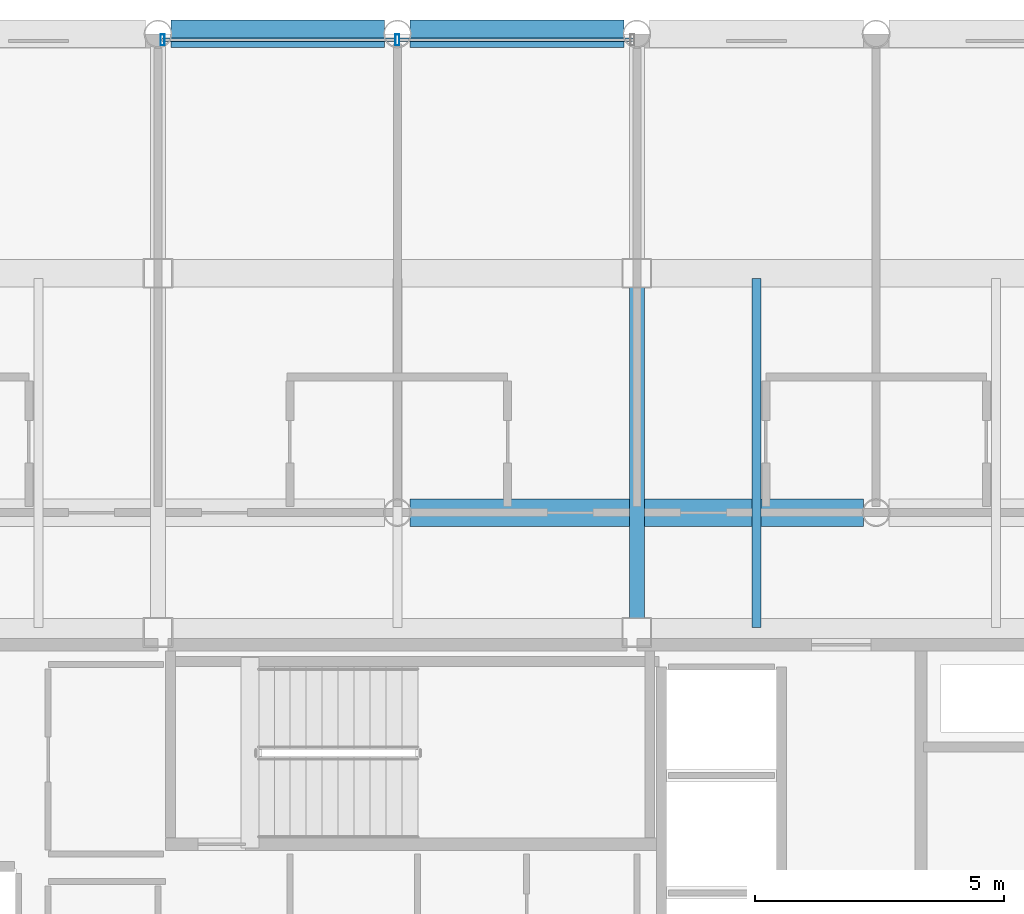
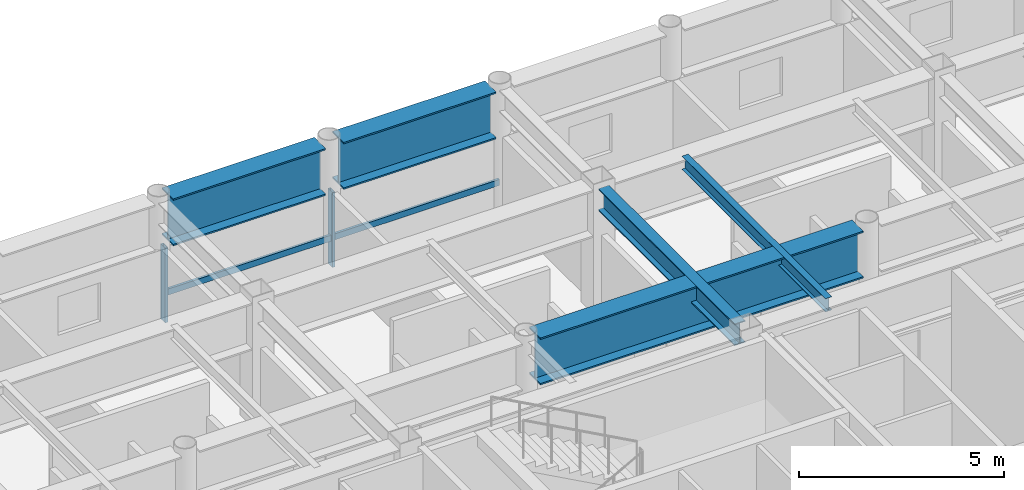
# One storey, part 13 of 22: 5 beams, 4 members, 1 element without a shape of its own.
"""IFC4 building model written with IfcOpenShell, lengths in metres."""

from ifc_helpers import new_model, si_unit, direction, frame, origin, origin_2d, place, context, subcontext, project, spatial, hollow_rectangle, i_section, extrude, material, layer, layer_set, material_profile, profile_set, type_object, element, aggregate, save


model = new_model("IFC4")

# Units and contexts
model_context = context("Model", 3, precision=1e-05, world=origin(), true_north=direction((0.0, 1.0)))
body_context = subcontext(model_context, "Body", "Model", "MODEL_VIEW")
ifc_project = project(units=[si_unit("LENGTHUNIT", "METRE"), si_unit("AREAUNIT", "SQUARE_METRE"), si_unit("VOLUMEUNIT", "CUBIC_METRE"), si_unit("PLANEANGLEUNIT", "RADIAN"), si_unit("MASSUNIT", "GRAM", prefix="KILO")], contexts=[model_context])

# Site, building, storey
site_placement = place(None, origin())
site = spatial("IfcSite", under=ifc_project, at=site_placement, CompositionType="ELEMENT")
building_placement = place(site_placement, origin())
building = spatial("IfcBuilding", under=site, at=building_placement, Name="Kallvorn Hotel Tower", CompositionType="ELEMENT")
storey_placement = place(building_placement, frame((0.0, 0.0, 191.5)))
storey = spatial("IfcBuildingStorey", under=building, at=storey_placement, Name="L47", CompositionType="ELEMENT", Elevation=191.5)

# Beams
ifc_material_1 = material(Name="Structural steel S355JR", Category="steel")
ifc_material_profile_1 = material_profile(ifc_material_1, i_section(OverallWidth=0.300048828125, OverallDepth=0.64990234375, WebThickness=0.01611328125, FlangeThickness=0.031005859375, at=origin_2d()), Name="HE 650 B")
ifc_profile_set_1 = profile_set([ifc_material_profile_1], Name="Structural steel S355JR")
beam_type_1 = type_object("IfcBeamType", Name="BM_HE650B", PredefinedType="BEAM", material=ifc_profile_set_1)
beam_1_placement = place(storey_placement, frame((4.800048828125, 7.47509765625, 3.344970703125), z_axis=(0.0, 1.0, 0.0), x_axis=(-1.0, 0.0, 0.0)))
element("IfcBeam", 1, at=beam_1_placement, inside=storey, type_object=beam_type_1, Name="L48 Primary Y-Girder 116", PredefinedType="BEAM", context=body_context, shape_type="SweptSolid", body=[
    extrude(i_section(OverallWidth=0.300048828125, OverallDepth=0.64990234375, WebThickness=0.01611328125, FlangeThickness=0.031005859375, at=origin_2d()), origin(), (0.0, 0.0, 1.0), 6.64990234375),
])
ifc_material_2 = material(Name="Structural steel S355JR", Category="steel")
ifc_material_profile_2 = material_profile(ifc_material_2, i_section(OverallWidth=0.179931640625, OverallDepth=0.39990234375, WebThickness=0.008544921875, FlangeThickness=0.013427734375, at=origin_2d()), Name="IPE 400")
ifc_profile_set_2 = profile_set([ifc_material_profile_2], Name="Structural steel S355JR")
beam_type_2 = type_object("IfcBeamType", Name="BM_IPE400", PredefinedType="JOIST", material=ifc_profile_set_2)
beam_2_placement = place(storey_placement, frame((7.199951171875, 7.300048828125, 3.469970703125), z_axis=(0.0, 1.0, 0.0), x_axis=(-1.0, 0.0, 0.0)))
element("IfcBeam", 2, at=beam_2_placement, inside=storey, type_object=beam_type_2, Name="L48 Secondary Composite Joist 203", PredefinedType="JOIST", context=body_context, shape_type="SweptSolid", body=[
    extrude(i_section(OverallWidth=0.179931640625, OverallDepth=0.39990234375, WebThickness=0.008544921875, FlangeThickness=0.013427734375, at=origin_2d()), origin(), (0.0, 0.0, 1.0), 7.0),
])
ifc_material_3 = material(Name="Structural steel S355JR", Category="steel")
ifc_material_profile_3 = material_profile(ifc_material_3, i_section(OverallWidth=0.550048828125, OverallDepth=1.39990234375, WebThickness=0.02490234375, FlangeThickness=0.044921875, at=origin_2d()), Name="PG 1400x550x25x45")
ifc_profile_set_3 = profile_set([ifc_material_profile_3], Name="Structural steel S355JR")
beam_type_3 = type_object("IfcBeamType", Name="BM_PG_1400", PredefinedType="BEAM", material=ifc_profile_set_3)
beam_3_placement = place(storey_placement, frame((0.25439453125, 9.60009765625, 2.969970703125), z_axis=(1.0, 0.0, 0.0), x_axis=(0.0, 1.0, 0.0)))
element("IfcBeam", 3, at=beam_3_placement, inside=storey, type_object=beam_type_3, Name="L48 Primary X-Girder 46", PredefinedType="BEAM", context=body_context, shape_type="SweptSolid", body=[
    extrude(i_section(OverallWidth=0.550048828125, OverallDepth=1.39990234375, WebThickness=0.02490234375, FlangeThickness=0.044921875, at=origin_2d()), origin(), (0.0, 0.0, 1.0), 9.091064453125),
])
for number, where, z_axis, x_axis, name in (
    (4, (-4.54541015625, 19.199951171875, 2.969970703125), (1.0, 0.0, 0.0), (0.0, 1.0, 0.0), "L48 Primary X-Girder 66"),
    (5, (0.25439453125, 19.199951171875, 2.969970703125), (1.0, 0.0, 0.0), (0.0, 1.0, 0.0), "L48 Primary X-Girder 67"),
):
    element("IfcBeam", number, at=place(storey_placement, frame(where, z_axis=z_axis, x_axis=x_axis)), inside=storey, type_object=beam_type_3, Name=name, PredefinedType="BEAM", context=body_context, shape_type="SweptSolid", body=[
        extrude(i_section(OverallWidth=0.550048828125, OverallDepth=1.39990234375, WebThickness=0.02490234375, FlangeThickness=0.044921875, at=origin_2d()), origin(), (0.0, 0.0, 1.0), 4.291015625),
    ])

# Curtain wall, members
ifc_material_4 = material(Name="Thermally broken black-anodised aluminium AA 6063-T6", Category="aluminium")
ifc_layer = layer(ifc_material_4, 0.22998046875)
ifc_layer_set = layer_set([ifc_layer], Name="CW_SYS_5_HOTEL_HIGH")
curtain_wall_type = type_object("IfcCurtainWallType", Name="CW_SYS_5_HOTEL_HIGH", PredefinedType="USERDEFINED", material=ifc_layer_set)
curtain_wall_placement = place(storey_placement, origin())
curtain_wall = element("IfcCurtainWall", 6, at=curtain_wall_placement, inside=storey, type_object=curtain_wall_type, Name="L47 Dark-Glass Curtain Wall CW-L47-NC", ObjectType="UNITISED CURTAIN WALL", PredefinedType="USERDEFINED")
ifc_material_5 = material(Name="Thermally broken black-anodised aluminium AA 6063-T6", Category="aluminium")
ifc_material_profile_4 = material_profile(ifc_material_5, hollow_rectangle(XDim=0.080078125, YDim=0.219970703125, WallThickness=0.0048828125, at=origin_2d()), Name="MUL 220x80")
ifc_profile_set_4 = profile_set([ifc_material_profile_4], Name="Thermally broken black-anodised aluminium AA 6063-T6")
member_type_1 = type_object("IfcMemberType", Name="CW_MULLION_220x80", PredefinedType="MULLION", material=ifc_profile_set_4)
member_1_placement = place(storey_placement, frame((-4.7099609375, 19.080078125, 0.02001953125), z_axis=(0.0, 0.0, 1.0), x_axis=(1.0, 0.0, 0.0)))
member_1 = element("IfcMember", 7, at=member_1_placement, type_object=member_type_1, Name="CW-L47-NC Mullion 00", PredefinedType="MULLION", context=body_context, shape_type="SweptSolid", body=[
    extrude(hollow_rectangle(XDim=0.080078125, YDim=0.219970703125, WallThickness=0.0048828125, at=origin_2d()), origin(), (0.0, 0.0, 1.0), 2.22998046875),
])
member_2_placement = place(storey_placement, frame((0.0, 19.080078125, 0.02001953125), z_axis=(0.0, 0.0, 1.0), x_axis=(1.0, 0.0, 0.0)))
member_2 = element("IfcMember", 8, at=member_2_placement, type_object=member_type_1, Name="CW-L47-NC Mullion 01", PredefinedType="MULLION", context=body_context, shape_type="SweptSolid", body=[
    extrude(hollow_rectangle(XDim=0.080078125, YDim=0.219970703125, WallThickness=0.0048828125, at=origin_2d()), origin(), (0.0, 0.0, 1.0), 2.22998046875),
])
ifc_material_6 = material(Name="Thermally broken black-anodised aluminium AA 6063-T6", Category="aluminium")
ifc_material_profile_5 = material_profile(ifc_material_6, hollow_rectangle(XDim=0.070068359375, YDim=0.179931640625, WallThickness=0.00390625, at=origin_2d()), Name="TRN 180x70")
ifc_profile_set_5 = profile_set([ifc_material_profile_5], Name="Thermally broken black-anodised aluminium AA 6063-T6")
member_type_2 = type_object("IfcMemberType", Name="CW_TRANSOM_180x70", PredefinedType="USERDEFINED", material=ifc_profile_set_5)
member_3_placement = place(storey_placement, frame((-4.7099609375, 19.080078125, 0.85009765625), z_axis=(1.0, 0.0, 0.0), x_axis=(0.0, 1.0, 0.0)))
member_3 = element("IfcMember", 9, at=member_3_placement, type_object=member_type_2, Name="CW-L47-NC Transom 00M", ObjectType="TRANSOM", PredefinedType="USERDEFINED", context=body_context, shape_type="SweptSolid", body=[
    extrude(hollow_rectangle(XDim=0.070068359375, YDim=0.179931640625, WallThickness=0.00390625, at=origin_2d()), origin(), (0.0, 0.0, 1.0), 4.669921875),
])
member_4_placement = place(storey_placement, frame((0.0400390625, 19.080078125, 0.85009765625), z_axis=(1.0, 0.0, 0.0), x_axis=(0.0, 1.0, 0.0)))
member_4 = element("IfcMember", 10, at=member_4_placement, type_object=member_type_2, Name="CW-L47-NC Transom 01M", ObjectType="TRANSOM", PredefinedType="USERDEFINED", context=body_context, shape_type="SweptSolid", body=[
    extrude(hollow_rectangle(XDim=0.070068359375, YDim=0.179931640625, WallThickness=0.00390625, at=origin_2d()), origin(), (0.0, 0.0, 1.0), 4.669921875),
])
aggregate(curtain_wall, [member_1, member_2, member_3, member_4])

save(model, "model.ifc")
